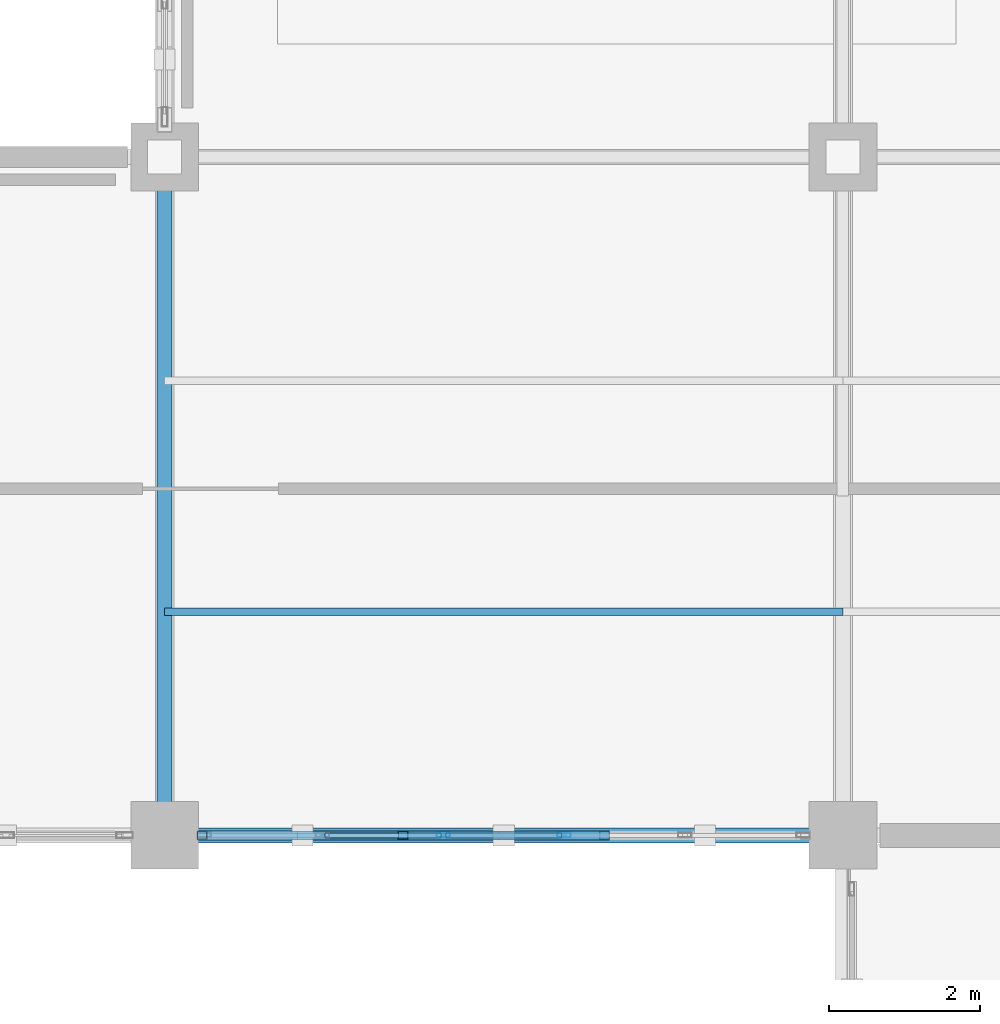
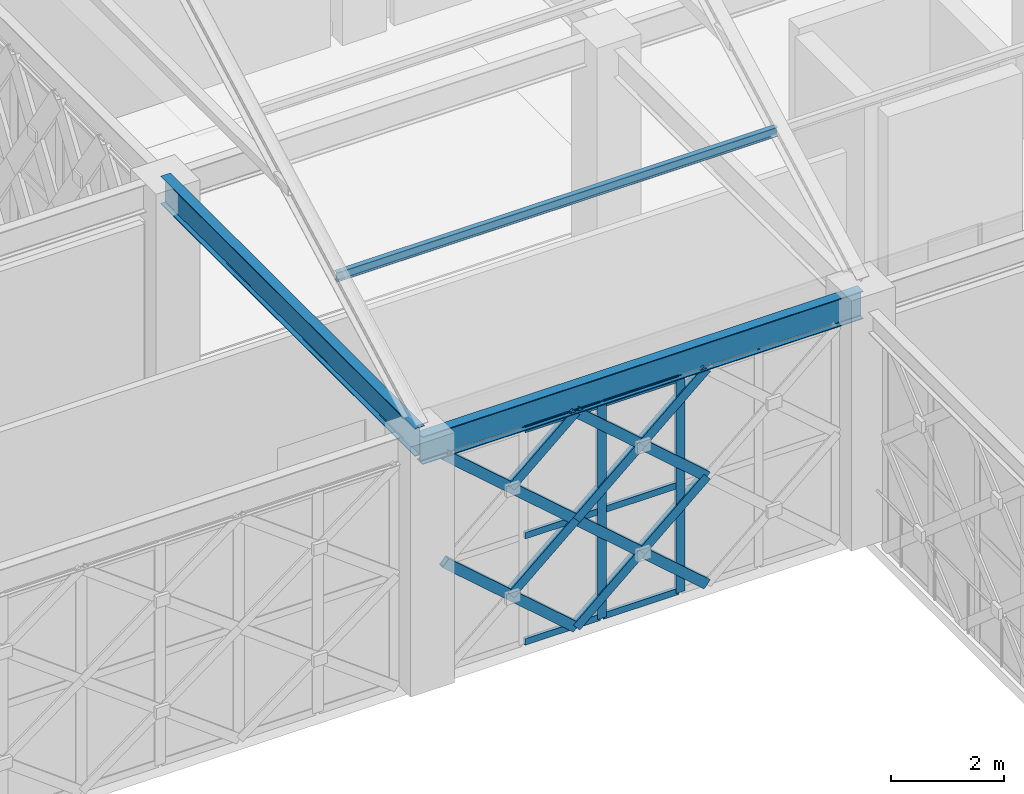
# One storey, part 55 of 166: 19 members, 2 beams, 1 element without a shape of its own.
"""IFC4 building model written with IfcOpenShell, lengths in metres."""

from ifc_helpers import new_model, si_unit, direction, frame, origin, origin_2d, place, context, subcontext, project, spatial, hollow_rectangle, i_section, extrude, material, material_profile, profile_set, type_object, element, aggregate, save


model = new_model("IFC4")

# Units and contexts
model_context = context("Model", 3, precision=1e-05, world=origin(), true_north=direction((0.0, 1.0)))
body_context = subcontext(model_context, "Body", "Model", "MODEL_VIEW")
ifc_project = project(units=[si_unit("LENGTHUNIT", "METRE"), si_unit("AREAUNIT", "SQUARE_METRE"), si_unit("VOLUMEUNIT", "CUBIC_METRE"), si_unit("PLANEANGLEUNIT", "RADIAN"), si_unit("MASSUNIT", "GRAM", prefix="KILO")], contexts=[model_context])

# Site, building, storey
site_placement = place(None, origin())
site = spatial("IfcSite", under=ifc_project, at=site_placement, CompositionType="ELEMENT")
building_placement = place(site_placement, origin())
building = spatial("IfcBuilding", under=site, at=building_placement, Name="Haizhuo Lancet Aquarium", CompositionType="ELEMENT")
storey_placement = place(building_placement, frame((0.0, 0.0, 5.39990234375)))
storey = spatial("IfcBuildingStorey", under=building, at=storey_placement, Name="L01", CompositionType="ELEMENT", Elevation=5.39990234375)

# Beams
ifc_material_1 = material(Name="Steel S355", Category="steel")
ifc_material_profile_1 = material_profile(ifc_material_1, i_section(OverallWidth=0.199951171875, OverallDepth=0.60009765625, WebThickness=0.010986328125, FlangeThickness=0.01708984375, FilletRadius=0.02197265625, at=origin_2d()), Name="HN 600x200x11x17")
ifc_profile_set_1 = profile_set([ifc_material_profile_1], Name="Steel S355")
beam_type = type_object("IfcBeamType", Name="BM-ST-HN600", PredefinedType="BEAM", material=ifc_profile_set_1)
for number, where, z_axis, x_axis, name in (
    (1, (-72.0, 9.0, 5.10009765625), (0.0, 1.0, 0.0), (-1.0, 0.0, 0.0), "L01 V2 primary girder BM-L01-V2-004"),
    (2, (-72.0, 9.0, 4.9501953125), (1.0, 0.0, 0.0), (0.0, 1.0, 0.0), "L01 V2 primary girder BM-L01-V2-005"),
):
    element("IfcBeam", number, at=place(storey_placement, frame(where, z_axis=z_axis, x_axis=x_axis)), inside=storey, type_object=beam_type, Name=name, PredefinedType="BEAM", context=body_context, shape_type="SweptSolid", body=[
        extrude(i_section(OverallWidth=0.199951171875, OverallDepth=0.60009765625, WebThickness=0.010986328125, FlangeThickness=0.01708984375, FilletRadius=0.02197265625, at=origin_2d()), origin(), (0.0, 0.0, 1.0), 9.0),
    ])

# Curtain wall, members
ifc_material_2 = material(Name="Aluminium 6063-T6", Category="aluminium")
curtain_wall_type = type_object("IfcCurtainWallType", Name="CWO-8010x4650", PredefinedType="NOTDEFINED", material=ifc_material_2)
curtain_wall_placement = place(storey_placement, origin())
curtain_wall = element("IfcCurtainWall", 3, at=curtain_wall_placement, inside=storey, type_object=curtain_wall_type, Name="L01 curtain wall CW-V2-L01-028", PredefinedType="NOTDEFINED")
ifc_material_profile_2 = material_profile(ifc_material_2, hollow_rectangle(XDim=0.06494140625, YDim=0.179931640625, WallThickness=0.00390625, at=origin_2d()), Name="ALU-M 65x180x4")
ifc_profile_set_2 = profile_set([ifc_material_profile_2], Name="Aluminium 6063-T6")
member_type_1 = type_object("IfcMemberType", Name="CW-MUL-1", PredefinedType="MULLION", material=ifc_profile_set_2)
member_1_placement = place(storey_placement, frame((-66.698974609375, 9.0, 0.0), z_axis=(0.0, 0.0, 1.0), x_axis=(0.0, -1.0, 0.0)))
member_1 = element("IfcMember", 4, at=member_1_placement, type_object=member_type_1, Name="CWO-80x46 mullion 3", PredefinedType="MULLION", context=body_context, shape_type="SweptSolid", body=[
    extrude(hollow_rectangle(XDim=0.06494140625, YDim=0.179931640625, WallThickness=0.00390625, at=origin_2d()), origin(), (0.0, 0.0, 1.0), 4.650146484375),
])
member_2_placement = place(storey_placement, frame((-68.301025390625, 9.0, 0.0), z_axis=(0.0, 0.0, 1.0), x_axis=(0.0, -1.0, 0.0)))
member_2 = element("IfcMember", 5, at=member_2_placement, type_object=member_type_1, Name="CWO-80x46 mullion 4", PredefinedType="MULLION", context=body_context, shape_type="SweptSolid", body=[
    extrude(hollow_rectangle(XDim=0.06494140625, YDim=0.179931640625, WallThickness=0.00390625, at=origin_2d()), origin(), (0.0, 0.0, 1.0), 4.650146484375),
])
ifc_material_profile_3 = material_profile(ifc_material_2, hollow_rectangle(XDim=0.06494140625, YDim=0.139892578125, WallThickness=0.00390625, at=origin_2d()), Name="ALU-T 65x140x4")
ifc_profile_set_3 = profile_set([ifc_material_profile_3], Name="Aluminium 6063-T6")
member_type_2 = type_object("IfcMemberType", Name="CW-TRN-1", PredefinedType="NOTDEFINED", material=ifc_profile_set_3)
member_3_placement = place(storey_placement, frame((-66.73095703125, 9.0, 0.033203125), z_axis=(-1.0, 0.0, 0.0), x_axis=(0.0, -1.0, 0.0)))
member_3 = element("IfcMember", 6, at=member_3_placement, type_object=member_type_2, Name="CWO-80x46 transom 3.1", ObjectType="TRANSOM", PredefinedType="USERDEFINED", context=body_context, shape_type="SweptSolid", body=[
    extrude(hollow_rectangle(XDim=0.06494140625, YDim=0.139892578125, WallThickness=0.00390625, at=origin_2d()), origin(), (0.0, 0.0, 1.0), 1.5380859375),
])
member_4_placement = place(storey_placement, frame((-66.73095703125, 9.0, 2.3251953125), z_axis=(-1.0, 0.0, 0.0), x_axis=(0.0, -1.0, 0.0)))
member_4 = element("IfcMember", 7, at=member_4_placement, type_object=member_type_2, Name="CWO-80x46 transom 3.2", ObjectType="TRANSOM", PredefinedType="USERDEFINED", context=body_context, shape_type="SweptSolid", body=[
    extrude(hollow_rectangle(XDim=0.06494140625, YDim=0.139892578125, WallThickness=0.00390625, at=origin_2d()), origin(), (0.0, 0.0, 1.0), 1.5380859375),
])
member_5_placement = place(storey_placement, frame((-66.73095703125, 9.0, 4.6181640625), z_axis=(-1.0, 0.0, 0.0), x_axis=(0.0, -1.0, 0.0)))
member_5 = element("IfcMember", 8, at=member_5_placement, type_object=member_type_2, Name="CWO-80x46 transom 3.3", ObjectType="TRANSOM", PredefinedType="USERDEFINED", context=body_context, shape_type="SweptSolid", body=[
    extrude(hollow_rectangle(XDim=0.06494140625, YDim=0.139892578125, WallThickness=0.00390625, at=origin_2d()), origin(), (0.0, 0.0, 1.0), 1.5380859375),
])
member_6_placement = place(storey_placement, frame((-68.333984375, 9.0, 0.033203125), z_axis=(-1.0, 0.0, 0.0), x_axis=(0.0, -1.0, 0.0)))
member_6 = element("IfcMember", 9, at=member_6_placement, type_object=member_type_2, Name="CWO-80x46 transom 4.1", ObjectType="TRANSOM", PredefinedType="USERDEFINED", context=body_context, shape_type="SweptSolid", body=[
    extrude(hollow_rectangle(XDim=0.06494140625, YDim=0.139892578125, WallThickness=0.00390625, at=origin_2d()), origin(), (0.0, 0.0, 1.0), 1.5361328125),
])
member_7_placement = place(storey_placement, frame((-68.333984375, 9.0, 2.3251953125), z_axis=(-1.0, 0.0, 0.0), x_axis=(0.0, -1.0, 0.0)))
member_7 = element("IfcMember", 10, at=member_7_placement, type_object=member_type_2, Name="CWO-80x46 transom 4.2", ObjectType="TRANSOM", PredefinedType="USERDEFINED", context=body_context, shape_type="SweptSolid", body=[
    extrude(hollow_rectangle(XDim=0.06494140625, YDim=0.139892578125, WallThickness=0.00390625, at=origin_2d()), origin(), (0.0, 0.0, 1.0), 1.5361328125),
])
member_8_placement = place(storey_placement, frame((-68.333984375, 9.0, 4.6181640625), z_axis=(-1.0, 0.0, 0.0), x_axis=(0.0, -1.0, 0.0)))
member_8 = element("IfcMember", 11, at=member_8_placement, type_object=member_type_2, Name="CWO-80x46 transom 4.3", ObjectType="TRANSOM", PredefinedType="USERDEFINED", context=body_context, shape_type="SweptSolid", body=[
    extrude(hollow_rectangle(XDim=0.06494140625, YDim=0.139892578125, WallThickness=0.00390625, at=origin_2d()), origin(), (0.0, 0.0, 1.0), 1.5361328125),
])
aggregate(curtain_wall, [member_1, member_2, member_3, member_4, member_5, member_6, member_7, member_8])

# Members
ifc_material_profile_4 = material_profile(ifc_material_1, hollow_rectangle(XDim=0.1201171875, YDim=0.199951171875, WallThickness=0.008056640625, at=origin_2d()), Name="RHS 120x200x8")
ifc_profile_set_4 = profile_set([ifc_material_profile_4], Name="Steel S355")
member_type_3 = type_object("IfcMemberType", Name="MEM-LB-RHS120x200", PredefinedType="BRACE", material=ifc_profile_set_4)
member_9_placement = place(storey_placement, frame((-66.1650390625, 9.0, 0.0), z_axis=(-0.754112442038, 0.0, 0.656745327173), x_axis=(0.0, -1.0, 0.0)))
element("IfcMember", 12, at=member_9_placement, inside=storey, type_object=member_type_3, Name="Gothic lancet continuous diagonal brace CW-V2-L01-028 3A", PredefinedType="BRACE", context=body_context, shape_type="SweptSolid", body=[
    extrude(hollow_rectangle(XDim=0.1201171875, YDim=0.199951171875, WallThickness=0.008056640625, at=origin_2d()), origin(), (0.0, 0.0, 1.0), 3.54052734375),
])
member_10_placement = place(storey_placement, frame((-68.8349609375, 9.0, 0.0), z_axis=(0.754249056755, 0.0, 0.656588425412), x_axis=(0.0, 1.0, 0.0)))
element("IfcMember", 13, at=member_10_placement, inside=storey, type_object=member_type_3, Name="Gothic lancet split diagonal brace CW-V2-L01-028 3B1", PredefinedType="BRACE", context=body_context, shape_type="SweptSolid", body=[
    extrude(hollow_rectangle(XDim=0.1201171875, YDim=0.199951171875, WallThickness=0.008056640625, at=origin_2d()), origin(), (0.0, 0.0, 1.0), 1.77001953125),
])
member_11_placement = place(storey_placement, frame((-67.5, 9.0, 1.162109375), z_axis=(0.753975844185, 0.0, 0.65690214369), x_axis=(0.0, 1.0, 0.0)))
element("IfcMember", 14, at=member_11_placement, inside=storey, type_object=member_type_3, Name="Gothic lancet split diagonal brace CW-V2-L01-028 3B2", PredefinedType="BRACE", context=body_context, shape_type="SweptSolid", body=[
    extrude(hollow_rectangle(XDim=0.1201171875, YDim=0.199951171875, WallThickness=0.008056640625, at=origin_2d()), origin(), (0.0, 0.0, 1.0), 1.7705078125),
])
member_12_placement = place(storey_placement, frame((-66.1650390625, 9.0, 2.3251953125), z_axis=(-0.754146594137, 0.0, 0.656706109726), x_axis=(0.0, -1.0, 0.0)))
element("IfcMember", 15, at=member_12_placement, inside=storey, type_object=member_type_3, Name="Gothic lancet continuous diagonal brace CW-V2-L01-028 4A", PredefinedType="BRACE", context=body_context, shape_type="SweptSolid", body=[
    extrude(hollow_rectangle(XDim=0.1201171875, YDim=0.199951171875, WallThickness=0.008056640625, at=origin_2d()), origin(), (0.0, 0.0, 1.0), 3.540283203125),
])
member_13_placement = place(storey_placement, frame((-68.8349609375, 9.0, 2.3251953125), z_axis=(0.754317370429, 0.0, 0.656509942552), x_axis=(0.0, 1.0, 0.0)))
element("IfcMember", 16, at=member_13_placement, inside=storey, type_object=member_type_3, Name="Gothic lancet split diagonal brace CW-V2-L01-028 4B1", PredefinedType="BRACE", context=body_context, shape_type="SweptSolid", body=[
    extrude(hollow_rectangle(XDim=0.1201171875, YDim=0.199951171875, WallThickness=0.008056640625, at=origin_2d()), origin(), (0.0, 0.0, 1.0), 1.769775390625),
])
member_14_placement = place(storey_placement, frame((-67.5, 9.0, 3.487060546875), z_axis=(0.753975844185, 0.0, 0.65690214369), x_axis=(0.0, 1.0, 0.0)))
element("IfcMember", 17, at=member_14_placement, inside=storey, type_object=member_type_3, Name="Gothic lancet split diagonal brace CW-V2-L01-028 4B2", PredefinedType="BRACE", context=body_context, shape_type="SweptSolid", body=[
    extrude(hollow_rectangle(XDim=0.1201171875, YDim=0.199951171875, WallThickness=0.008056640625, at=origin_2d()), origin(), (0.0, 0.0, 1.0), 1.7705078125),
])
member_15_placement = place(storey_placement, frame((-68.8349609375, 9.0, 0.0), z_axis=(-0.754112442038, 0.0, 0.656745327173), x_axis=(0.0, -1.0, 0.0)))
element("IfcMember", 18, at=member_15_placement, inside=storey, type_object=member_type_3, Name="Gothic lancet continuous diagonal brace CW-V2-L01-028 5A", PredefinedType="BRACE", context=body_context, shape_type="SweptSolid", body=[
    extrude(hollow_rectangle(XDim=0.1201171875, YDim=0.199951171875, WallThickness=0.008056640625, at=origin_2d()), origin(), (0.0, 0.0, 1.0), 3.54052734375),
])
member_16_placement = place(storey_placement, frame((-70.169921875, 9.0, 1.162109375), z_axis=(0.753975844185, 0.0, 0.65690214369), x_axis=(0.0, 1.0, 0.0)))
element("IfcMember", 19, at=member_16_placement, inside=storey, type_object=member_type_3, Name="Gothic lancet split diagonal brace CW-V2-L01-028 5B2", PredefinedType="BRACE", context=body_context, shape_type="SweptSolid", body=[
    extrude(hollow_rectangle(XDim=0.1201171875, YDim=0.199951171875, WallThickness=0.008056640625, at=origin_2d()), origin(), (0.0, 0.0, 1.0), 1.7705078125),
])
member_17_placement = place(storey_placement, frame((-68.8349609375, 9.0, 2.3251953125), z_axis=(-0.754146594137, 0.0, 0.656706109726), x_axis=(0.0, -1.0, 0.0)))
element("IfcMember", 20, at=member_17_placement, inside=storey, type_object=member_type_3, Name="Gothic lancet continuous diagonal brace CW-V2-L01-028 6A", PredefinedType="BRACE", context=body_context, shape_type="SweptSolid", body=[
    extrude(hollow_rectangle(XDim=0.1201171875, YDim=0.199951171875, WallThickness=0.008056640625, at=origin_2d()), origin(), (0.0, 0.0, 1.0), 3.540283203125),
])
member_18_placement = place(storey_placement, frame((-70.169921875, 9.0, 3.487060546875), z_axis=(0.753975844185, 0.0, 0.65690214369), x_axis=(0.0, 1.0, 0.0)))
element("IfcMember", 21, at=member_18_placement, inside=storey, type_object=member_type_3, Name="Gothic lancet split diagonal brace CW-V2-L01-028 6B2", PredefinedType="BRACE", context=body_context, shape_type="SweptSolid", body=[
    extrude(hollow_rectangle(XDim=0.1201171875, YDim=0.199951171875, WallThickness=0.008056640625, at=origin_2d()), origin(), (0.0, 0.0, 1.0), 1.7705078125),
])
ifc_material_profile_5 = material_profile(ifc_material_1, i_section(OverallWidth=0.10009765625, OverallDepth=0.199951171875, WebThickness=0.005615234375, FlangeThickness=0.008056640625, FilletRadius=0.008056640625, at=origin_2d()), Name="HN 200x100x5.5x8")
ifc_profile_set_5 = profile_set([ifc_material_profile_5], Name="Steel S355")
member_type_4 = type_object("IfcMemberType", Name="MEM-PR-HN200", PredefinedType="PURLIN", material=ifc_profile_set_5)
member_19_placement = place(storey_placement, frame((-72.0, 11.969970703125, 6.859130859375), z_axis=(1.0, 0.0, 0.0), x_axis=(0.0, 1.0, 0.0)))
element("IfcMember", 22, at=member_19_placement, inside=storey, type_object=member_type_4, Name="V2 south roof purlin 1", PredefinedType="PURLIN", context=body_context, shape_type="SweptSolid", body=[
    extrude(i_section(OverallWidth=0.10009765625, OverallDepth=0.199951171875, WebThickness=0.005615234375, FlangeThickness=0.008056640625, FilletRadius=0.008056640625, at=origin_2d()), origin(), (0.0, 0.0, 1.0), 9.0),
])

save(model, "model.ifc")
